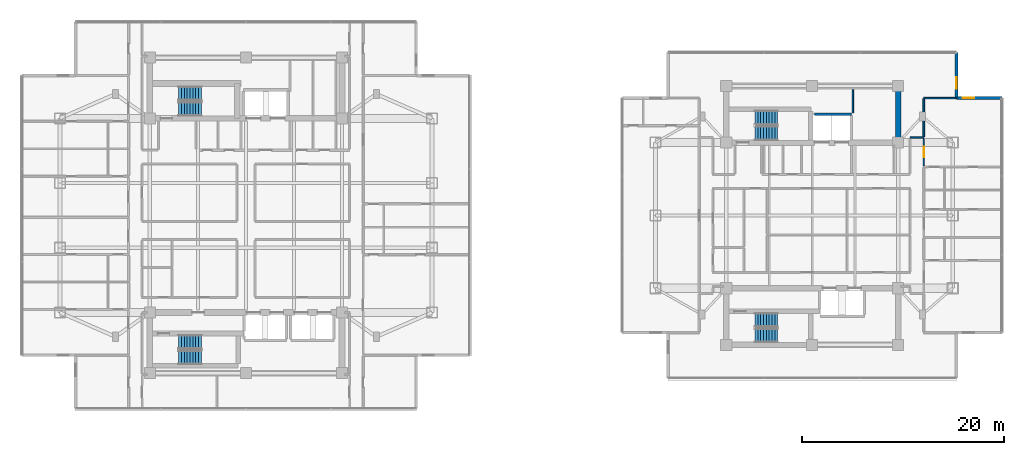
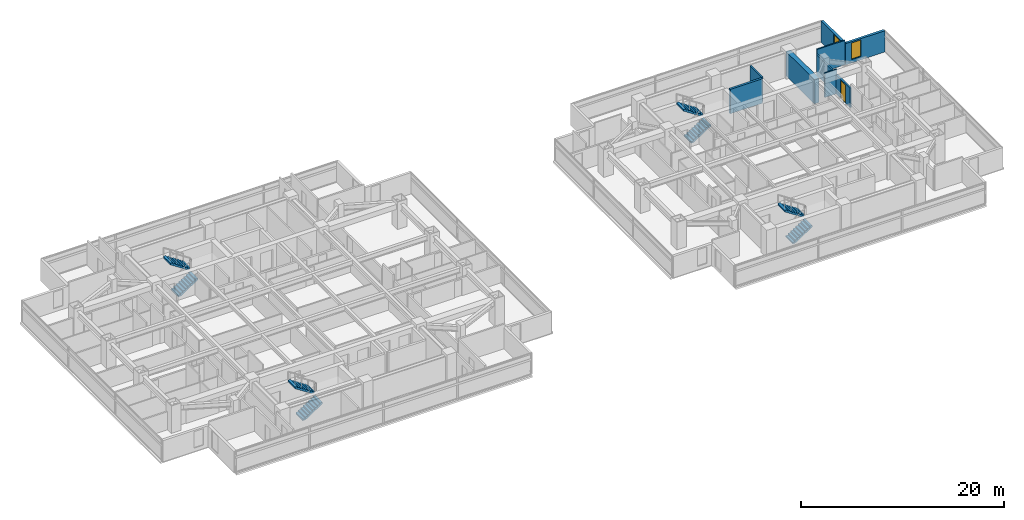
# One storey, part 19 of 24: 9 walls, 8 stair flights, 2 windows, 1 door, 3 openings, 4 elements without a shape of their own.
"""IFC4 building model written with IfcOpenShell, lengths in metres."""

from ifc_helpers import new_model, si_unit, direction, frame, frame_2d, origin, place, context, subcontext, project, spatial, polyline, rectangle, outline, extrude, material, layer, layer_set, type_object, element, fill, aggregate, save


model = new_model("IFC4")

# Units and contexts
model_context = context("Model", 3, precision=1e-05, world=origin(), true_north=direction((0.0, 1.0)))
body_context = subcontext(model_context, "Body", "Model", "MODEL_VIEW")
ifc_project = project(units=[si_unit("LENGTHUNIT", "METRE"), si_unit("AREAUNIT", "SQUARE_METRE"), si_unit("VOLUMEUNIT", "CUBIC_METRE"), si_unit("PLANEANGLEUNIT", "RADIAN"), si_unit("MASSUNIT", "GRAM", prefix="KILO")], contexts=[model_context])

# Site, building, storey
site_placement = place(None, origin())
site = spatial("IfcSite", under=ifc_project, at=site_placement, CompositionType="ELEMENT")
building_placement = place(site_placement, origin())
building = spatial("IfcBuilding", under=site, at=building_placement, Name="Mirazonda Arch Towers", CompositionType="ELEMENT")
storey_placement = place(building_placement, frame((0.0, 0.0, 144.5)))
storey = spatial("IfcBuildingStorey", under=building, at=storey_placement, Name="L41", CompositionType="ELEMENT", Elevation=144.5)

# Wall
ifc_material_1 = material(Name="Concrete C50/60", Category="concrete")
ifc_layer_1 = layer(ifc_material_1, 0.550048828125, Name="WALL-CORE-550")
ifc_layer_set_1 = layer_set([ifc_layer_1], Name="Concrete C50/60")
wall_type_1 = type_object("IfcWallType", Name="WALL-CORE-550", PredefinedType="SHEAR", material=ifc_layer_set_1)
wall_1_placement = place(storey_placement, frame((85.0, 35.199951171875, 0.0), z_axis=(0.0, 0.0, 1.0), x_axis=(0.0, 1.0, 0.0)))
element("IfcWall", 1, at=wall_1_placement, inside=storey, type_object=wall_type_1, Name="L41 T2N-E Core Shear Wall", PredefinedType="SHEAR", context=body_context, shape_type="SweptSolid", body=[
    extrude(rectangle(XDim=5.60009765625, YDim=0.550048828125, at=frame_2d((2.800048828125, 0.0))), origin(), (0.0, 0.0, 1.0), 2.93994140625),
])

# Wall, opening, window
ifc_material_2 = material(Name="Precast Concrete C40/50", Category="concrete")
ifc_layer_2 = layer(ifc_material_2, 0.280029296875, Name="WALL-EXT-WALL-280")
ifc_layer_set_2 = layer_set([ifc_layer_2], Name="Precast Concrete C40/50")
wall_type_2 = type_object("IfcWallType", Name="WALL-EXT-WALL-280", PredefinedType="SOLIDWALL", material=ifc_layer_set_2)
wall_2_placement = place(storey_placement, frame((90.762451171875, 39.598876953125, 0.0), z_axis=(0.0, 0.0, 1.0), x_axis=(0.0, 1.0, 0.0)))
wall_2 = element("IfcWall", 2, at=wall_2_placement, inside=storey, type_object=wall_type_2, Name="L41 T2 Notched NE Corner Wall WL-L41-T2-CNE", PredefinedType="SOLIDWALL", context=body_context, shape_type="SweptSolid", body=[
    extrude(rectangle(XDim=4.486572265625, YDim=0.280029296875, at=frame_2d((2.2431640625, 0.0))), origin(), (0.0, 0.0, 1.0), 2.56005859375),
])
opening_1_placement = place(wall_2_placement, frame((0.949951171875, 0.0, 0.409912109375)))
opening_1 = element("IfcOpeningElement", 3, at=opening_1_placement, cuts=wall_2, Name="Opening WN-108", PredefinedType="OPENING", context=body_context, shape_type="SweptSolid", body=[
    extrude(rectangle(XDim=1.10009765625, YDim=2.0, at=frame_2d((0.550048828125, 1.0))), frame((0.0, 0.14990234375, 0.0), z_axis=(0.0, -1.0, 0.0), x_axis=(1.0, 0.0, 0.0)), (0.0, 0.0, 1.0), 0.300048828125),
])
ifc_material_3 = material(Name="Insulated Low-E Solar Glass", Category="glass")
window_type = type_object("IfcWindowType", Name="WIN-NOTCH-1100x2000", PartitioningType="SINGLE_PANEL", PredefinedType="WINDOW", material=ifc_material_3)
window_1_placement = place(opening_1_placement, origin())
window_1 = element("IfcWindow", 4, at=window_1_placement, inside=storey, type_object=window_type, Name="L41 Punched Facade Window WN-L41-T2-CNE", OverallHeight=2.0, OverallWidth=1.10009765625, PartitioningType="SINGLE_PANEL", PredefinedType="WINDOW", context=body_context, shape_type="SweptSolid", body=[
    extrude(rectangle(XDim=1.10009765625, YDim=2.0, at=frame_2d((0.550048828125, 1.0))), frame((0.0, 0.030029296875, 0.0), z_axis=(0.0, -1.0, 0.0), x_axis=(1.0, 0.0, 0.0)), (0.0, 0.0, 1.0), 0.06005859375),
])
fill(opening_1, window_1)

wall_3_placement = place(storey_placement, frame((95.2490234375, 39.598876953125, 0.0), z_axis=(0.0, 0.0, 1.0), x_axis=(-1.0, 0.0, 0.0)))
wall_3 = element("IfcWall", 5, at=wall_3_placement, inside=storey, type_object=wall_type_2, Name="L41 T2 Corner Notch Return Wall WL-L41-T2-CNE2", PredefinedType="SOLIDWALL", context=body_context, shape_type="SweptSolid", body=[
    extrude(rectangle(XDim=4.486572265625, YDim=0.280029296875, at=frame_2d((2.2431640625, 0.0))), origin(), (0.0, 0.0, 1.0), 2.56005859375),
])
opening_2_placement = place(wall_3_placement, frame((2.737060546875, 0.0, 0.409912109375)))
opening_2 = element("IfcOpeningElement", 6, at=opening_2_placement, cuts=wall_3, Name="Opening WN-108", PredefinedType="OPENING", context=body_context, shape_type="SweptSolid", body=[
    extrude(rectangle(XDim=1.10009765625, YDim=2.0, at=frame_2d((0.550048828125, 1.0))), frame((0.0, 0.14990234375, 0.0), z_axis=(0.0, -1.0, 0.0), x_axis=(1.0, 0.0, 0.0)), (0.0, 0.0, 1.0), 0.300048828125),
])
window_2_placement = place(opening_2_placement, origin())
window_2 = element("IfcWindow", 7, at=window_2_placement, inside=storey, type_object=window_type, Name="L41 Punched Facade Window WN-L41-T2-CNE2", OverallHeight=2.0, OverallWidth=1.10009765625, PartitioningType="SINGLE_PANEL", PredefinedType="WINDOW", context=body_context, shape_type="SweptSolid", body=[
    extrude(rectangle(XDim=1.10009765625, YDim=2.0, at=frame_2d((0.550048828125, 1.0))), frame((0.0, 0.030029296875, 0.0), z_axis=(0.0, -1.0, 0.0), x_axis=(1.0, 0.0, 0.0)), (0.0, 0.0, 1.0), 0.06005859375),
])
fill(opening_2, window_2)

# Walls
ifc_material_4 = material(Name="Fire-Rated Gypsum Stud Partition")
ifc_layer_3 = layer(ifc_material_4, 0.14990234375, Name="WALL-PART-CORR-150")
ifc_layer_set_3 = layer_set([ifc_layer_3], Name="Fire-Rated Gypsum Stud Partition")
wall_type_3 = type_object("IfcWallType", Name="WALL-PART-CORR-150", PredefinedType="PARTITIONING", material=ifc_layer_set_3)
wall_4_placement = place(storey_placement, frame((86.179931640625, 35.699951171875, 0.0), z_axis=(0.0, 0.0, 1.0), x_axis=(1.0, 0.0, 0.0)))
element("IfcWall", 8, at=wall_4_placement, inside=storey, type_object=wall_type_3, Name="L41 Interior Partition 051", PredefinedType="PARTITIONING", context=body_context, shape_type="SweptSolid", body=[
    extrude(rectangle(XDim=1.360107421875, YDim=0.14990234375, at=frame_2d((0.68017578125, 0.0))), origin(), (0.0, 0.0, 1.0), 2.93994140625),
])
wall_5_placement = place(storey_placement, frame((87.5400390625, 39.59912109375, 0.0), z_axis=(0.0, 0.0, 1.0), x_axis=(1.0, 0.0, 0.0)))
element("IfcWall", 9, at=wall_5_placement, inside=storey, type_object=wall_type_3, Name="L41 Interior Partition 057", PredefinedType="PARTITIONING", context=body_context, shape_type="SweptSolid", body=[
    extrude(rectangle(XDim=3.202392578125, YDim=0.14990234375, at=frame_2d((1.60107421875, 0.0))), origin(), (0.0, 0.0, 1.0), 2.93994140625),
])
wall_6_placement = place(storey_placement, frame((80.52001953125, 38.135009765625, 0.0), z_axis=(0.0, 0.0, 1.0), x_axis=(0.0, 1.0, 0.0)))
element("IfcWall", 10, at=wall_6_placement, inside=storey, type_object=wall_type_3, Name="L41 Interior Partition 148", PredefinedType="PARTITIONING", context=body_context, shape_type="SweptSolid", body=[
    extrude(rectangle(XDim=2.31494140625, YDim=0.14990234375, at=frame_2d((1.157470703125, 0.0))), origin(), (0.0, 0.0, 1.0), 2.93994140625),
])

# Wall, opening, door
ifc_material_5 = material(Name="Fire-Rated Gypsum Twin-Stud Assembly")
ifc_layer_4 = layer(ifc_material_5, 0.179931640625, Name="WALL-PART-DEMISE-180")
ifc_layer_set_4 = layer_set([ifc_layer_4], Name="Fire-Rated Gypsum Twin-Stud Assembly")
wall_type_4 = type_object("IfcWallType", Name="WALL-PART-DEMISE-180", PredefinedType="PARTITIONING", material=ifc_layer_set_4)
wall_7_placement = place(storey_placement, frame((87.5400390625, 32.89306640625, 0.0), z_axis=(0.0, 0.0, 1.0), x_axis=(0.0, 1.0, 0.0)))
wall_7 = element("IfcWall", 11, at=wall_7_placement, inside=storey, type_object=wall_type_4, Name="L41 Interior Partition 161", PredefinedType="PARTITIONING", context=body_context, shape_type="SweptSolid", body=[
    extrude(rectangle(XDim=2.721923828125, YDim=0.179931640625, at=frame_2d((1.36083984375, 0.0))), origin(), (0.0, 0.0, 1.0), 2.33203125),
])
opening_3_placement = place(wall_7_placement, frame((0.8359375, 0.0, 0.0)))
opening_3 = element("IfcOpeningElement", 12, at=opening_3_placement, cuts=wall_7, Name="Opening DR-121", PredefinedType="OPENING", context=body_context, shape_type="SweptSolid", body=[
    extrude(rectangle(XDim=1.050048828125, YDim=2.199951171875, at=frame_2d((0.52490234375, 1.10009765625))), frame((0.0, 0.099853515625, 0.0), z_axis=(0.0, -1.0, 0.0), x_axis=(1.0, 0.0, 0.0)), (0.0, 0.0, 1.0), 0.199951171875),
])
ifc_material_6 = material(Name="Architectural Brushed Steel S355", Category="steel")
door_type = type_object("IfcDoorType", Name="DOOR-SUITE-FD60-1050", OperationType="NOTDEFINED", PredefinedType="DOOR", material=ifc_material_6)
door_placement = place(opening_3_placement, origin())
door = element("IfcDoor", 13, at=door_placement, inside=storey, type_object=door_type, Name="L41 King Hotel Guestroom 3 Door", OperationType="SINGLE_SWING_LEFT", OverallHeight=2.199951171875, OverallWidth=1.050048828125, PredefinedType="DOOR", context=body_context, shape_type="SweptSolid", body=[
    extrude(rectangle(XDim=1.050048828125, YDim=2.199951171875, at=frame_2d((0.52490234375, 1.10009765625))), frame((0.0, 0.02490234375, 0.0), z_axis=(0.0, -1.0, 0.0), x_axis=(1.0, 0.0, 0.0)), (0.0, 0.0, 1.0), 0.050048828125),
])
fill(opening_3, door)

# Walls
wall_8_placement = place(storey_placement, frame((87.5400390625, 35.784912109375, 0.0), z_axis=(0.0, 0.0, 1.0), x_axis=(0.0, 1.0, 0.0)))
element("IfcWall", 14, at=wall_8_placement, inside=storey, type_object=wall_type_4, Name="L41 Interior Partition 162", PredefinedType="PARTITIONING", context=body_context, shape_type="SweptSolid", body=[
    extrude(rectangle(XDim=3.72900390625, YDim=0.179931640625, at=frame_2d((1.864501953125, 0.0))), origin(), (0.0, 0.0, 1.0), 2.383056640625),
])
ifc_material_7 = material(Name="Concrete C40/50", Category="concrete")
ifc_layer_5 = layer(ifc_material_7, 0.25, Name="WALL-SHAFT-250")
ifc_layer_set_5 = layer_set([ifc_layer_5], Name="Concrete C40/50")
wall_type_5 = type_object("IfcWallType", Name="WALL-SHAFT-250", PredefinedType="SOLIDWALL", material=ifc_layer_set_5)
wall_9_placement = place(storey_placement, frame((76.719970703125, 38.0, 0.0), z_axis=(0.0, 0.0, 1.0), x_axis=(1.0, 0.0, 0.0)))
element("IfcWall", 15, at=wall_9_placement, inside=storey, type_object=wall_type_5, Name="L41 Interior Partition 054", PredefinedType="SOLIDWALL", context=body_context, shape_type="SweptSolid", body=[
    extrude(rectangle(XDim=3.659912109375, YDim=0.25, at=frame_2d((1.830078125, 0.0))), origin(), (0.0, 0.0, 1.0), 2.93994140625),
])

# Stair, stair flights
stair_type = type_object("IfcStairType", Name="STAIR-CORE-1400", PredefinedType="HALF_TURN_STAIR", material=ifc_material_7)
stair_1_placement = place(storey_placement, origin())
stair_1 = element("IfcStair", 16, at=stair_1_placement, inside=storey, type_object=stair_type, Name="L41 Protected Exit Stair ST-T1N", PredefinedType="HALF_TURN_STAIR")
stair_flight_type = type_object("IfcStairFlightType", Name="FLIGHT-1400", PredefinedType="STRAIGHT", material=ifc_material_7)
stair_flight_1_placement = place(storey_placement, frame((13.85009765625, 38.52001953125, 0.0), z_axis=(0.0, 0.0, 1.0), x_axis=(1.0, 0.0, 0.0)))
stair_flight_1 = element("IfcStairFlight", 17, at=stair_flight_1_placement, type_object=stair_flight_type, Name="ST-T1N flight 1", NumberOfRisers=9, NumberOfTreads=8, PredefinedType="STRAIGHT", RiserHeight=0.183333333, TreadLength=0.28, context=body_context, shape_type="SweptSolid", body=[
    extrude(outline(polyline([(0.0, 0.0), (0.0, 0.183349609375), (0.280029296875, 0.183349609375), (0.280029296875, 0.36669921875), (0.56005859375, 0.36669921875), (0.56005859375, 0.550048828125), (0.840087890625, 0.550048828125), (0.840087890625, 0.7333984375), (1.1201171875, 0.7333984375), (1.1201171875, 0.916748046875), (1.39990234375, 0.916748046875), (1.39990234375, 1.10009765625), (1.679931640625, 1.10009765625), (1.679931640625, 1.283447265625), (1.9599609375, 1.283447265625), (1.9599609375, 1.466552734375), (2.239990234375, 1.466552734375), (2.239990234375, 1.64990234375), (2.239990234375, 1.275634765625), (0.2919921875, 0.0), (0.0, 0.0)])), frame((0.0, 0.699951171875, 0.0), z_axis=(0.0, -1.0, 0.0), x_axis=(1.0, 0.0, 0.0)), (0.0, 0.0, 1.0), 1.39990234375),
])
stair_flight_2_placement = place(storey_placement, frame((16.090087890625, 40.06005859375, 1.64990234375), z_axis=(0.0, 0.0, 1.0), x_axis=(-1.0, 0.0, 0.0)))
stair_flight_2 = element("IfcStairFlight", 18, at=stair_flight_2_placement, type_object=stair_flight_type, Name="ST-T1N flight 2", NumberOfRisers=9, NumberOfTreads=8, PredefinedType="STRAIGHT", RiserHeight=0.183333333, TreadLength=0.28, context=body_context, shape_type="SweptSolid", body=[
    extrude(outline(polyline([(0.0, 0.0), (0.0, 0.183349609375), (0.280029296875, 0.183349609375), (0.280029296875, 0.36669921875), (0.56005859375, 0.36669921875), (0.56005859375, 0.550048828125), (0.840087890625, 0.550048828125), (0.840087890625, 0.7333984375), (1.1201171875, 0.7333984375), (1.1201171875, 0.916748046875), (1.39990234375, 0.916748046875), (1.39990234375, 1.10009765625), (1.679931640625, 1.10009765625), (1.679931640625, 1.283447265625), (1.9599609375, 1.283447265625), (1.9599609375, 1.466552734375), (2.239990234375, 1.466552734375), (2.239990234375, 1.64990234375), (2.239990234375, 1.275634765625), (0.2919921875, 0.0), (0.0, 0.0)])), frame((0.0, 0.699951171875, 0.0), z_axis=(0.0, -1.0, 0.0), x_axis=(1.0, 0.0, 0.0)), (0.0, 0.0, 1.0), 1.39990234375),
])
aggregate(stair_1, [stair_flight_1, stair_flight_2])

stair_2_placement = place(storey_placement, origin())
stair_2 = element("IfcStair", 19, at=stair_2_placement, inside=storey, type_object=stair_type, Name="L41 Protected Exit Stair ST-T1S", PredefinedType="HALF_TURN_STAIR")
stair_flight_3_placement = place(storey_placement, frame((13.85009765625, 13.949951171875, 0.0), z_axis=(0.0, 0.0, 1.0), x_axis=(1.0, 0.0, 0.0)))
stair_flight_3 = element("IfcStairFlight", 20, at=stair_flight_3_placement, type_object=stair_flight_type, Name="ST-T1S flight 1", NumberOfRisers=9, NumberOfTreads=8, PredefinedType="STRAIGHT", RiserHeight=0.183333333, TreadLength=0.28, context=body_context, shape_type="SweptSolid", body=[
    extrude(outline(polyline([(0.0, 0.0), (0.0, 0.183349609375), (0.280029296875, 0.183349609375), (0.280029296875, 0.36669921875), (0.56005859375, 0.36669921875), (0.56005859375, 0.550048828125), (0.840087890625, 0.550048828125), (0.840087890625, 0.7333984375), (1.1201171875, 0.7333984375), (1.1201171875, 0.916748046875), (1.39990234375, 0.916748046875), (1.39990234375, 1.10009765625), (1.679931640625, 1.10009765625), (1.679931640625, 1.283447265625), (1.9599609375, 1.283447265625), (1.9599609375, 1.466552734375), (2.239990234375, 1.466552734375), (2.239990234375, 1.64990234375), (2.239990234375, 1.275634765625), (0.2919921875, 0.0), (0.0, 0.0)])), frame((0.0, 0.699951171875, 0.0), z_axis=(0.0, -1.0, 0.0), x_axis=(1.0, 0.0, 0.0)), (0.0, 0.0, 1.0), 1.39990234375),
])
stair_flight_4_placement = place(storey_placement, frame((16.090087890625, 15.489990234375, 1.64990234375), z_axis=(0.0, 0.0, 1.0), x_axis=(-1.0, 0.0, 0.0)))
stair_flight_4 = element("IfcStairFlight", 21, at=stair_flight_4_placement, type_object=stair_flight_type, Name="ST-T1S flight 2", NumberOfRisers=9, NumberOfTreads=8, PredefinedType="STRAIGHT", RiserHeight=0.183333333, TreadLength=0.28, context=body_context, shape_type="SweptSolid", body=[
    extrude(outline(polyline([(0.0, 0.0), (0.0, 0.183349609375), (0.280029296875, 0.183349609375), (0.280029296875, 0.36669921875), (0.56005859375, 0.36669921875), (0.56005859375, 0.550048828125), (0.840087890625, 0.550048828125), (0.840087890625, 0.7333984375), (1.1201171875, 0.7333984375), (1.1201171875, 0.916748046875), (1.39990234375, 0.916748046875), (1.39990234375, 1.10009765625), (1.679931640625, 1.10009765625), (1.679931640625, 1.283447265625), (1.9599609375, 1.283447265625), (1.9599609375, 1.466552734375), (2.239990234375, 1.466552734375), (2.239990234375, 1.64990234375), (2.239990234375, 1.275634765625), (0.2919921875, 0.0), (0.0, 0.0)])), frame((0.0, 0.699951171875, 0.0), z_axis=(0.0, -1.0, 0.0), x_axis=(1.0, 0.0, 0.0)), (0.0, 0.0, 1.0), 1.39990234375),
])
aggregate(stair_2, [stair_flight_3, stair_flight_4])

stair_3_placement = place(storey_placement, origin())
stair_3 = element("IfcStair", 22, at=stair_3_placement, inside=storey, type_object=stair_type, Name="L41 Protected Exit Stair ST-T2N", PredefinedType="HALF_TURN_STAIR")
stair_flight_5_placement = place(storey_placement, frame((70.85009765625, 36.1201171875, 0.0), z_axis=(0.0, 0.0, 1.0), x_axis=(1.0, 0.0, 0.0)))
stair_flight_5 = element("IfcStairFlight", 23, at=stair_flight_5_placement, type_object=stair_flight_type, Name="ST-T2N flight 1", NumberOfRisers=9, NumberOfTreads=8, PredefinedType="STRAIGHT", RiserHeight=0.183333333, TreadLength=0.28, context=body_context, shape_type="SweptSolid", body=[
    extrude(outline(polyline([(0.0, 0.0), (0.0, 0.183349609375), (0.280029296875, 0.183349609375), (0.280029296875, 0.36669921875), (0.56005859375, 0.36669921875), (0.56005859375, 0.550048828125), (0.840087890625, 0.550048828125), (0.840087890625, 0.7333984375), (1.1201171875, 0.7333984375), (1.1201171875, 0.916748046875), (1.39990234375, 0.916748046875), (1.39990234375, 1.10009765625), (1.679931640625, 1.10009765625), (1.679931640625, 1.283447265625), (1.9599609375, 1.283447265625), (1.9599609375, 1.466552734375), (2.239990234375, 1.466552734375), (2.239990234375, 1.64990234375), (2.239990234375, 1.275634765625), (0.2919921875, 0.0), (0.0, 0.0)])), frame((0.0, 0.699951171875, 0.0), z_axis=(0.0, -1.0, 0.0), x_axis=(1.0, 0.0, 0.0)), (0.0, 0.0, 1.0), 1.39990234375),
])
stair_flight_6_placement = place(storey_placement, frame((73.090087890625, 37.659912109375, 1.64990234375), z_axis=(0.0, 0.0, 1.0), x_axis=(-1.0, 0.0, 0.0)))
stair_flight_6 = element("IfcStairFlight", 24, at=stair_flight_6_placement, type_object=stair_flight_type, Name="ST-T2N flight 2", NumberOfRisers=9, NumberOfTreads=8, PredefinedType="STRAIGHT", RiserHeight=0.183333333, TreadLength=0.28, context=body_context, shape_type="SweptSolid", body=[
    extrude(outline(polyline([(0.0, 0.0), (0.0, 0.183349609375), (0.280029296875, 0.183349609375), (0.280029296875, 0.36669921875), (0.56005859375, 0.36669921875), (0.56005859375, 0.550048828125), (0.840087890625, 0.550048828125), (0.840087890625, 0.7333984375), (1.1201171875, 0.7333984375), (1.1201171875, 0.916748046875), (1.39990234375, 0.916748046875), (1.39990234375, 1.10009765625), (1.679931640625, 1.10009765625), (1.679931640625, 1.283447265625), (1.9599609375, 1.283447265625), (1.9599609375, 1.466552734375), (2.239990234375, 1.466552734375), (2.239990234375, 1.64990234375), (2.239990234375, 1.275634765625), (0.2919921875, 0.0), (0.0, 0.0)])), frame((0.0, 0.699951171875, 0.0), z_axis=(0.0, -1.0, 0.0), x_axis=(1.0, 0.0, 0.0)), (0.0, 0.0, 1.0), 1.39990234375),
])
aggregate(stair_3, [stair_flight_5, stair_flight_6])

stair_4_placement = place(storey_placement, origin())
stair_4 = element("IfcStair", 25, at=stair_4_placement, inside=storey, type_object=stair_type, Name="L41 Protected Exit Stair ST-T2S", PredefinedType="HALF_TURN_STAIR")
stair_flight_7_placement = place(storey_placement, frame((70.85009765625, 16.1201171875, 0.0), z_axis=(0.0, 0.0, 1.0), x_axis=(1.0, 0.0, 0.0)))
stair_flight_7 = element("IfcStairFlight", 26, at=stair_flight_7_placement, type_object=stair_flight_type, Name="ST-T2S flight 1", NumberOfRisers=9, NumberOfTreads=8, PredefinedType="STRAIGHT", RiserHeight=0.183333333, TreadLength=0.28, context=body_context, shape_type="SweptSolid", body=[
    extrude(outline(polyline([(0.0, 0.0), (0.0, 0.183349609375), (0.280029296875, 0.183349609375), (0.280029296875, 0.36669921875), (0.56005859375, 0.36669921875), (0.56005859375, 0.550048828125), (0.840087890625, 0.550048828125), (0.840087890625, 0.7333984375), (1.1201171875, 0.7333984375), (1.1201171875, 0.916748046875), (1.39990234375, 0.916748046875), (1.39990234375, 1.10009765625), (1.679931640625, 1.10009765625), (1.679931640625, 1.283447265625), (1.9599609375, 1.283447265625), (1.9599609375, 1.466552734375), (2.239990234375, 1.466552734375), (2.239990234375, 1.64990234375), (2.239990234375, 1.275634765625), (0.2919921875, 0.0), (0.0, 0.0)])), frame((0.0, 0.699951171875, 0.0), z_axis=(0.0, -1.0, 0.0), x_axis=(1.0, 0.0, 0.0)), (0.0, 0.0, 1.0), 1.39990234375),
])
stair_flight_8_placement = place(storey_placement, frame((73.090087890625, 17.659912109375, 1.64990234375), z_axis=(0.0, 0.0, 1.0), x_axis=(-1.0, 0.0, 0.0)))
stair_flight_8 = element("IfcStairFlight", 27, at=stair_flight_8_placement, type_object=stair_flight_type, Name="ST-T2S flight 2", NumberOfRisers=9, NumberOfTreads=8, PredefinedType="STRAIGHT", RiserHeight=0.183333333, TreadLength=0.28, context=body_context, shape_type="SweptSolid", body=[
    extrude(outline(polyline([(0.0, 0.0), (0.0, 0.183349609375), (0.280029296875, 0.183349609375), (0.280029296875, 0.36669921875), (0.56005859375, 0.36669921875), (0.56005859375, 0.550048828125), (0.840087890625, 0.550048828125), (0.840087890625, 0.7333984375), (1.1201171875, 0.7333984375), (1.1201171875, 0.916748046875), (1.39990234375, 0.916748046875), (1.39990234375, 1.10009765625), (1.679931640625, 1.10009765625), (1.679931640625, 1.283447265625), (1.9599609375, 1.283447265625), (1.9599609375, 1.466552734375), (2.239990234375, 1.466552734375), (2.239990234375, 1.64990234375), (2.239990234375, 1.275634765625), (0.2919921875, 0.0), (0.0, 0.0)])), frame((0.0, 0.699951171875, 0.0), z_axis=(0.0, -1.0, 0.0), x_axis=(1.0, 0.0, 0.0)), (0.0, 0.0, 1.0), 1.39990234375),
])
aggregate(stair_4, [stair_flight_7, stair_flight_8])

save(model, "model.ifc")
